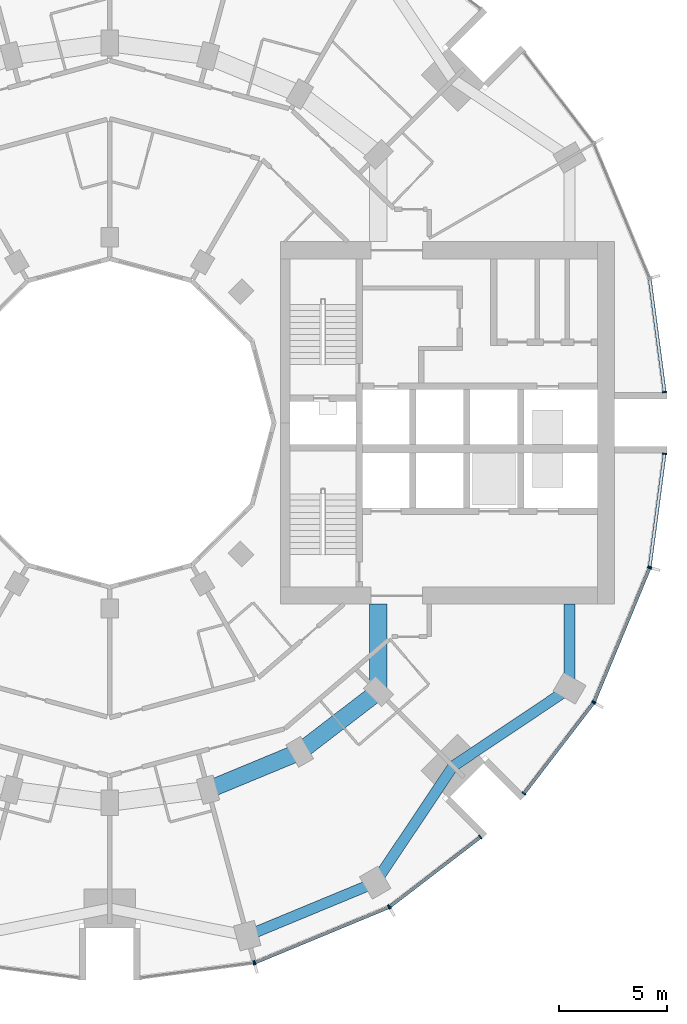
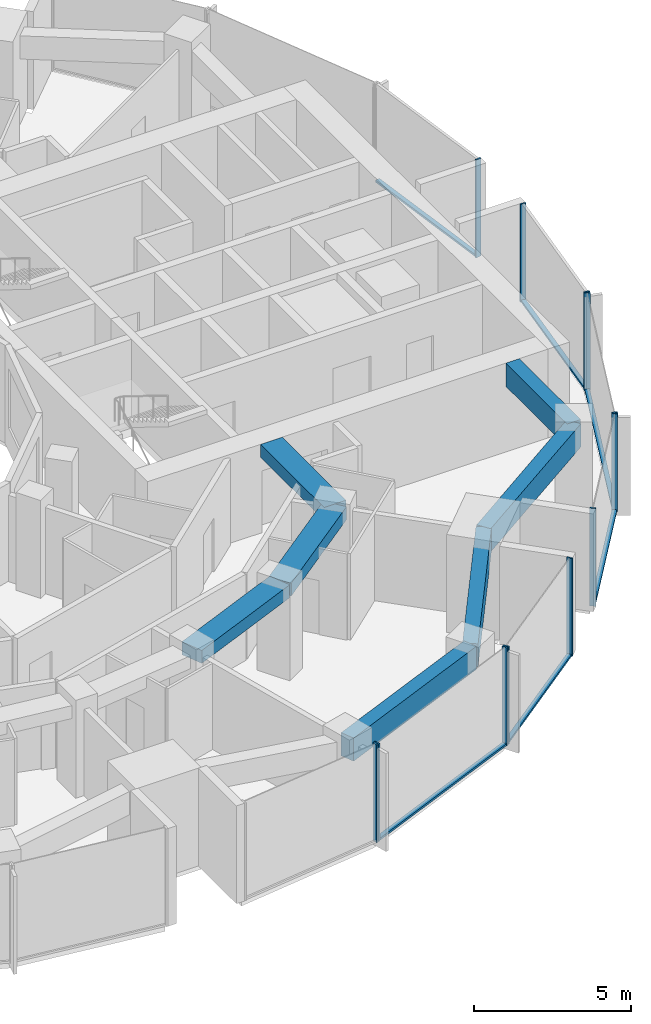
# One storey, part 4 of 15: 18 members, 7 beams, 7 elements without a shape of their own.
"""IFC4 building model written with IfcOpenShell, lengths in metres."""

from ifc_helpers import new_model, si_unit, direction, frame, origin, origin_2d, place, context, subcontext, project, spatial, rectangle, extrude, material, layer, layer_set, material_profile, profile_set, type_object, element, aggregate, save


model = new_model("IFC4")

# Units and contexts
model_context = context("Model", 3, precision=1e-05, world=origin(), true_north=direction((0.0, 1.0)))
body_context = subcontext(model_context, "Body", "Model", "MODEL_VIEW")
ifc_project = project(units=[si_unit("LENGTHUNIT", "METRE"), si_unit("AREAUNIT", "SQUARE_METRE"), si_unit("VOLUMEUNIT", "CUBIC_METRE"), si_unit("PLANEANGLEUNIT", "RADIAN"), si_unit("MASSUNIT", "GRAM", prefix="KILO")], contexts=[model_context])

# Site, building, storey
site_placement = place(None, origin())
site = spatial("IfcSite", under=ifc_project, at=site_placement, CompositionType="ELEMENT")
building_placement = place(site_placement, origin())
building = spatial("IfcBuilding", under=site, at=building_placement, Name="Torre Brocal", CompositionType="ELEMENT")
storey_placement = place(building_placement, frame((0.0, 0.0, 105.199951171875)))
storey = spatial("IfcBuildingStorey", under=building, at=storey_placement, Name="L24", CompositionType="ELEMENT", Elevation=105.199951171875)

# Curtain wall, member
ifc_material_1 = material(Name="Aluminium and glass", Category="aluminium")
ifc_layer_1 = layer(ifc_material_1, 0.199951171875)
ifc_layer_set_1 = layer_set([ifc_layer_1], Name="Aluminium and glass")
curtain_wall_type_1 = type_object("IfcCurtainWallType", Name="CW-1 CURTAIN WALL 3800 HIGH", PredefinedType="NOTDEFINED", material=ifc_layer_set_1)
curtain_wall_1_placement = place(storey_placement, origin())
curtain_wall_1 = element("IfcCurtainWall", 1, at=curtain_wall_1_placement, inside=storey, type_object=curtain_wall_type_1, Name="CW-1 RUN 19", PredefinedType="NOTDEFINED")
ifc_material_2 = material(Name="Aluminium, dark anodised", Category="aluminium")
ifc_material_profile_1 = material_profile(ifc_material_2, rectangle(XDim=0.199951171875, YDim=0.06005859375, at=origin_2d()), Name="CW-1 MULLION 60X200")
ifc_profile_set_1 = profile_set([ifc_material_profile_1], Name="Aluminium, dark anodised")
member_type_1 = type_object("IfcMemberType", Name="CW-1 MULLION 60X200", PredefinedType="MULLION", material=ifc_profile_set_1)
member_1_placement = place(storey_placement, frame((86.67333984375, 49.9794921875, 0.0), z_axis=(0.0, 0.0, 1.0), x_axis=(-0.13052619222, 0.991444861374, 0.0)))
member_1 = element("IfcMember", 2, at=member_1_placement, type_object=member_type_1, Name="CW1-1 mullion 2", PredefinedType="MULLION", context=body_context, shape_type="SweptSolid", body=[
    extrude(rectangle(XDim=0.199951171875, YDim=0.06005859375, at=origin_2d()), origin(), (0.0, 0.0, 1.0), 3.800048828125),
])
aggregate(curtain_wall_1, [member_1])

# Curtain wall, members
curtain_wall_2_placement = place(storey_placement, origin())
curtain_wall_2 = element("IfcCurtainWall", 3, at=curtain_wall_2_placement, inside=storey, type_object=curtain_wall_type_1, Name="CW-1 RUN 20", PredefinedType="NOTDEFINED")
member_2_placement = place(storey_placement, frame((86.73095703125, 49.994873046875, 0.0), z_axis=(0.0, 0.0, 1.0), x_axis=(-0.382683432333, 0.923879532525, 0.0)))
member_2 = element("IfcMember", 4, at=member_2_placement, type_object=member_type_1, Name="CW1-1 mullion 1", PredefinedType="MULLION", context=body_context, shape_type="SweptSolid", body=[
    extrude(rectangle(XDim=0.199951171875, YDim=0.06005859375, at=origin_2d()), origin(), (0.0, 0.0, 1.0), 3.800048828125),
])
member_3_placement = place(storey_placement, frame((92.921875, 52.559326171875, 0.0), z_axis=(0.0, 0.0, 1.0), x_axis=(-0.382683432333, 0.923879532525, 0.0)))
member_3 = element("IfcMember", 5, at=member_3_placement, type_object=member_type_1, Name="CW1-1 mullion 2", PredefinedType="MULLION", context=body_context, shape_type="SweptSolid", body=[
    extrude(rectangle(XDim=0.199951171875, YDim=0.06005859375, at=origin_2d()), origin(), (0.0, 0.0, 1.0), 3.800048828125),
])

curtain_wall_3_placement = place(storey_placement, origin())
curtain_wall_3 = element("IfcCurtainWall", 6, at=curtain_wall_3_placement, inside=storey, type_object=curtain_wall_type_1, Name="CW-1 RUN 21", PredefinedType="NOTDEFINED")
member_4_placement = place(storey_placement, frame((92.973388671875, 52.5888671875, 0.0), z_axis=(0.0, 0.0, 1.0), x_axis=(-0.60876142905, 0.793353340259, 0.0)))
member_4 = element("IfcMember", 7, at=member_4_placement, type_object=member_type_1, Name="CW1-1 mullion 1", PredefinedType="MULLION", context=body_context, shape_type="SweptSolid", body=[
    extrude(rectangle(XDim=0.199951171875, YDim=0.06005859375, at=origin_2d()), origin(), (0.0, 0.0, 1.0), 3.800048828125),
])
member_5_placement = place(storey_placement, frame((97.16943359375, 55.80859375, 0.0), z_axis=(0.0, 0.0, 1.0), x_axis=(-0.60876142905, 0.793353340259, 0.0)))
member_5 = element("IfcMember", 8, at=member_5_placement, type_object=member_type_1, Name="CW1-1 mullion 2", PredefinedType="MULLION", context=body_context, shape_type="SweptSolid", body=[
    extrude(rectangle(XDim=0.199951171875, YDim=0.06005859375, at=origin_2d()), origin(), (0.0, 0.0, 1.0), 3.800048828125),
])

curtain_wall_4_placement = place(storey_placement, origin())
curtain_wall_4 = element("IfcCurtainWall", 9, at=curtain_wall_4_placement, inside=storey, type_object=curtain_wall_type_1, Name="CW-1 RUN 22", PredefinedType="NOTDEFINED")
member_6_placement = place(storey_placement, frame((99.19140625, 57.83056640625, 0.0), z_axis=(0.0, 0.0, 1.0), x_axis=(-0.793353340259, 0.60876142905, 0.0)))
member_6 = element("IfcMember", 10, at=member_6_placement, type_object=member_type_1, Name="CW1-1 mullion 1", PredefinedType="MULLION", context=body_context, shape_type="SweptSolid", body=[
    extrude(rectangle(XDim=0.199951171875, YDim=0.06005859375, at=origin_2d()), origin(), (0.0, 0.0, 1.0), 3.800048828125),
])
member_7_placement = place(storey_placement, frame((102.4111328125, 62.026611328125, 0.0), z_axis=(0.0, 0.0, 1.0), x_axis=(-0.793353340259, 0.60876142905, 0.0)))
member_7 = element("IfcMember", 11, at=member_7_placement, type_object=member_type_1, Name="CW1-1 mullion 2", PredefinedType="MULLION", context=body_context, shape_type="SweptSolid", body=[
    extrude(rectangle(XDim=0.199951171875, YDim=0.06005859375, at=origin_2d()), origin(), (0.0, 0.0, 1.0), 3.800048828125),
])

curtain_wall_5_placement = place(storey_placement, origin())
curtain_wall_5 = element("IfcCurtainWall", 12, at=curtain_wall_5_placement, inside=storey, type_object=curtain_wall_type_1, Name="CW-1 RUN 23", PredefinedType="NOTDEFINED")
member_8_placement = place(storey_placement, frame((102.440673828125, 62.078125, 0.0), z_axis=(0.0, 0.0, 1.0), x_axis=(-0.923879532525, 0.382683432333, 0.0)))
member_8 = element("IfcMember", 13, at=member_8_placement, type_object=member_type_1, Name="CW1-1 mullion 1", PredefinedType="MULLION", context=body_context, shape_type="SweptSolid", body=[
    extrude(rectangle(XDim=0.199951171875, YDim=0.06005859375, at=origin_2d()), origin(), (0.0, 0.0, 1.0), 3.800048828125),
])
member_9_placement = place(storey_placement, frame((105.005126953125, 68.26904296875, 0.0), z_axis=(0.0, 0.0, 1.0), x_axis=(-0.923879532525, 0.382683432333, 0.0)))
member_9 = element("IfcMember", 14, at=member_9_placement, type_object=member_type_1, Name="CW1-1 mullion 2", PredefinedType="MULLION", context=body_context, shape_type="SweptSolid", body=[
    extrude(rectangle(XDim=0.199951171875, YDim=0.06005859375, at=origin_2d()), origin(), (0.0, 0.0, 1.0), 3.800048828125),
])

# Member
ifc_material_3 = material(Name="Aluminium, dark anodised", Category="aluminium")
ifc_material_profile_2 = material_profile(ifc_material_3, rectangle(XDim=0.159912109375, YDim=0.080078125, at=origin_2d()), Name="CW-1 TRANSOM 160X80")
ifc_profile_set_2 = profile_set([ifc_material_profile_2], Name="Aluminium, dark anodised")
member_type_2 = type_object("IfcMemberType", Name="CW-1 TRANSOM 160X80", PredefinedType="USERDEFINED", material=ifc_profile_set_2)
member_10_placement = place(storey_placement, frame((86.758544921875, 50.00634765625, 0.0400390625), z_axis=(0.923887344364, 0.38266457234, 0.0), x_axis=(-0.38266457234, 0.923887344364, 0.0)))
member_10 = element("IfcMember", 15, at=member_10_placement, type_object=member_type_2, Name="CW1-1 transom 1.1", ObjectType="TRANSOM", PredefinedType="USERDEFINED", context=body_context, shape_type="SweptSolid", body=[
    extrude(rectangle(XDim=0.159912109375, YDim=0.080078125, at=origin_2d()), origin(), (0.0, 0.0, 1.0), 6.640869140625),
])

aggregate(curtain_wall_2, [member_2, member_3, member_10])

member_11_placement = place(storey_placement, frame((92.9970703125, 52.607177734375, 0.0400390625), z_axis=(0.79336281513, 0.60874908096, 0.0), x_axis=(-0.60874908096, 0.79336281513, 0.0)))
member_11 = element("IfcMember", 16, at=member_11_placement, type_object=member_type_2, Name="CW1-1 transom 1.1", ObjectType="TRANSOM", PredefinedType="USERDEFINED", context=body_context, shape_type="SweptSolid", body=[
    extrude(rectangle(XDim=0.159912109375, YDim=0.080078125, at=origin_2d()), origin(), (0.0, 0.0, 1.0), 5.22900390625),
])

aggregate(curtain_wall_3, [member_4, member_5, member_11])

member_12_placement = place(storey_placement, frame((99.209716796875, 57.8544921875, 0.0400390625), z_axis=(0.60874908096, 0.79336281513, 0.0), x_axis=(-0.79336281513, 0.60874908096, 0.0)))
member_12 = element("IfcMember", 17, at=member_12_placement, type_object=member_type_2, Name="CW1-1 transom 1.1", ObjectType="TRANSOM", PredefinedType="USERDEFINED", context=body_context, shape_type="SweptSolid", body=[
    extrude(rectangle(XDim=0.159912109375, YDim=0.080078125, at=origin_2d()), origin(), (0.0, 0.0, 1.0), 5.22900390625),
])

aggregate(curtain_wall_4, [member_6, member_7, member_12])

member_13_placement = place(storey_placement, frame((102.452392578125, 62.10595703125, 0.0400390625), z_axis=(0.38266457234, 0.923887344364, 0.0), x_axis=(-0.923887344364, 0.38266457234, 0.0)))
member_13 = element("IfcMember", 18, at=member_13_placement, type_object=member_type_2, Name="CW1-1 transom 1.1", ObjectType="TRANSOM", PredefinedType="USERDEFINED", context=body_context, shape_type="SweptSolid", body=[
    extrude(rectangle(XDim=0.159912109375, YDim=0.080078125, at=origin_2d()), origin(), (0.0, 0.0, 1.0), 6.640869140625),
])

aggregate(curtain_wall_5, [member_8, member_9, member_13])

# Curtain wall, member
ifc_material_4 = material(Name="Aluminium and glass", Category="aluminium")
ifc_layer_2 = layer(ifc_material_4, 0.199951171875)
ifc_layer_set_2 = layer_set([ifc_layer_2], Name="Aluminium and glass")
curtain_wall_type_2 = type_object("IfcCurtainWallType", Name="CW-1B CURTAIN WALL 3800 HIGH", PredefinedType="NOTDEFINED", material=ifc_layer_set_2)
curtain_wall_6_placement = place(storey_placement, origin())
curtain_wall_6 = element("IfcCurtainWall", 19, at=curtain_wall_6_placement, inside=storey, type_object=curtain_wall_type_2, Name="CW-1B RUN 1", PredefinedType="NOTDEFINED")
ifc_material_5 = material(Name="Aluminium, dark anodised", Category="aluminium")
ifc_material_profile_3 = material_profile(ifc_material_5, rectangle(XDim=0.199951171875, YDim=0.06005859375, at=origin_2d()), Name="CW-1B MULLION 60X200")
ifc_profile_set_3 = profile_set([ifc_material_profile_3], Name="Aluminium, dark anodised")
member_type_3 = type_object("IfcMemberType", Name="CW-1B MULLION 60X200", PredefinedType="MULLION", material=ifc_profile_set_3)
member_14_placement = place(storey_placement, frame((105.7109375, 76.4296875, 0.0), z_axis=(0.0, 0.0, 1.0), x_axis=(-0.991444861374, -0.13052619222, 0.0)))
member_14 = element("IfcMember", 20, at=member_14_placement, type_object=member_type_3, Name="CW1B-1 mullion 1", PredefinedType="MULLION", context=body_context, shape_type="SweptSolid", body=[
    extrude(rectangle(XDim=0.199951171875, YDim=0.06005859375, at=origin_2d()), origin(), (0.0, 0.0, 1.0), 3.800048828125),
])

# Curtain wall, members
curtain_wall_7_placement = place(storey_placement, origin())
curtain_wall_7 = element("IfcCurtainWall", 21, at=curtain_wall_7_placement, inside=storey, type_object=curtain_wall_type_2, Name="CW-1B RUN 24", PredefinedType="NOTDEFINED")
member_15_placement = place(storey_placement, frame((105.0205078125, 68.32666015625, 0.0), z_axis=(0.0, 0.0, 1.0), x_axis=(-0.991444861374, 0.13052619222, 0.0)))
member_15 = element("IfcMember", 22, at=member_15_placement, type_object=member_type_3, Name="CW1B-1 mullion 1", PredefinedType="MULLION", context=body_context, shape_type="SweptSolid", body=[
    extrude(rectangle(XDim=0.199951171875, YDim=0.06005859375, at=origin_2d()), origin(), (0.0, 0.0, 1.0), 3.800048828125),
])
member_16_placement = place(storey_placement, frame((105.7109375, 73.5703125, 0.0), z_axis=(0.0, 0.0, 1.0), x_axis=(-0.991444861374, 0.13052619222, 0.0)))
member_16 = element("IfcMember", 23, at=member_16_placement, type_object=member_type_3, Name="CW1B-1 mullion 2", PredefinedType="MULLION", context=body_context, shape_type="SweptSolid", body=[
    extrude(rectangle(XDim=0.199951171875, YDim=0.06005859375, at=origin_2d()), origin(), (0.0, 0.0, 1.0), 3.800048828125),
])

# Member
ifc_material_6 = material(Name="Aluminium, dark anodised", Category="aluminium")
ifc_material_profile_4 = material_profile(ifc_material_6, rectangle(XDim=0.159912109375, YDim=0.080078125, at=origin_2d()), Name="CW-1B TRANSOM 160X80")
ifc_profile_set_4 = profile_set([ifc_material_profile_4], Name="Aluminium, dark anodised")
member_type_4 = type_object("IfcMemberType", Name="CW-1B TRANSOM 160X80", PredefinedType="USERDEFINED", material=ifc_profile_set_4)
member_17_placement = place(storey_placement, frame((105.70703125, 76.45947265625, 0.0400390625), z_axis=(-0.130542677827, 0.991442690863, 0.0), x_axis=(-0.991442690863, -0.130542677827, 0.0)))
member_17 = element("IfcMember", 24, at=member_17_placement, type_object=member_type_4, Name="CW1B-1 transom 1.1", ObjectType="TRANSOM", PredefinedType="USERDEFINED", context=body_context, shape_type="SweptSolid", body=[
    extrude(rectangle(XDim=0.159912109375, YDim=0.080078125, at=origin_2d()), origin(), (0.0, 0.0, 1.0), 5.22900390625),
])

aggregate(curtain_wall_6, [member_14, member_17])

member_18_placement = place(storey_placement, frame((105.0244140625, 68.356201171875, 0.0400390625), z_axis=(0.130542677827, 0.991442690863, 0.0), x_axis=(-0.991442690863, 0.130542677827, 0.0)))
member_18 = element("IfcMember", 25, at=member_18_placement, type_object=member_type_4, Name="CW1B-1 transom 1.1", ObjectType="TRANSOM", PredefinedType="USERDEFINED", context=body_context, shape_type="SweptSolid", body=[
    extrude(rectangle(XDim=0.159912109375, YDim=0.080078125, at=origin_2d()), origin(), (0.0, 0.0, 1.0), 5.22900390625),
])

aggregate(curtain_wall_7, [member_15, member_16, member_18])

# Beams
ifc_material_7 = material(Name="Concrete C50", Category="concrete")
ifc_material_profile_5 = material_profile(ifc_material_7, rectangle(XDim=0.800048828125, YDim=0.5, at=origin_2d()), Name="RC 800X500")
ifc_profile_set_5 = profile_set([ifc_material_profile_5], Name="Concrete C50")
beam_type_1 = type_object("IfcBeamType", Name="RC BEAM 800X500 C50 TOP 3450", PredefinedType="BEAM", material=ifc_profile_set_5)
beam_1_placement = place(storey_placement, frame((84.55517578125, 57.999755859375, 3.199951171875), z_axis=(0.923878240166, 0.382686552348, 0.0), x_axis=(-0.382686552348, 0.923878240166, 0.0)))
element("IfcBeam", 26, at=beam_1_placement, inside=storey, type_object=beam_type_1, Name="Beam BT-25", PredefinedType="BEAM", context=body_context, shape_type="SweptSolid", body=[
    extrude(rectangle(XDim=0.800048828125, YDim=0.5, at=origin_2d()), origin(), (0.0, 0.0, 1.0), 4.5947265625),
])
beam_2_placement = place(storey_placement, frame((88.800048828125, 59.758056640625, 3.199951171875), z_axis=(0.793358265959, 0.6087550097, 0.0), x_axis=(-0.6087550097, 0.793358265959, 0.0)))
element("IfcBeam", 27, at=beam_2_placement, inside=storey, type_object=beam_type_1, Name="Beam BT-25", PredefinedType="BEAM", context=body_context, shape_type="SweptSolid", body=[
    extrude(rectangle(XDim=0.800048828125, YDim=0.5, at=origin_2d()), origin(), (0.0, 0.0, 1.0), 4.594482421875),
])
beam_3_placement = place(storey_placement, frame((92.445068359375, 62.554931640625, 3.199951171875), z_axis=(0.0, 1.0, 0.0), x_axis=(-1.0, 0.0, 0.0)))
element("IfcBeam", 28, at=beam_3_placement, inside=storey, type_object=beam_type_1, Name="Beam BT-25", PredefinedType="BEAM", context=body_context, shape_type="SweptSolid", body=[
    extrude(rectangle(XDim=0.800048828125, YDim=0.5, at=origin_2d()), origin(), (0.0, 0.0, 1.0), 4.045166015625),
])
ifc_material_8 = material(Name="Concrete C50", Category="concrete")
ifc_material_profile_6 = material_profile(ifc_material_8, rectangle(XDim=0.5, YDim=0.89990234375, at=origin_2d()), Name="RC 500X900")
ifc_profile_set_6 = profile_set([ifc_material_profile_6], Name="Concrete C50")
beam_type_2 = type_object("IfcBeamType", Name="RC SPANDREL BEAM 500X900 C50 TOP 3450", PredefinedType="SPANDREL", material=ifc_profile_set_6)
beam_4_placement = place(storey_placement, frame((86.366943359375, 51.23828125, 3.0), z_axis=(0.923882462513, 0.382676358639, 0.0), x_axis=(-0.382676358639, 0.923882462513, 0.0)))
element("IfcBeam", 29, at=beam_4_placement, inside=storey, type_object=beam_type_2, Name="Beam BT-26", PredefinedType="SPANDREL", context=body_context, shape_type="SweptSolid", body=[
    extrude(rectangle(XDim=0.5, YDim=0.89990234375, at=origin_2d()), origin(), (0.0, 0.0, 1.0), 6.421875),
])
for number, where, z_axis, x_axis, name in (
    (30, (92.300048828125, 53.69580078125, 3.0), (0.556157602282, 0.831076844476, 0.0), (-0.831076844476, 0.556157602282, 0.0), "Beam BT-26"),
    (31, (95.909912109375, 59.090087890625, 3.0), (0.831076844476, 0.556157602282, 0.0), (-0.556157602282, 0.831076844476, 0.0), "Beam BT-26"),
):
    element("IfcBeam", number, at=place(storey_placement, frame(where, z_axis=z_axis, x_axis=x_axis)), inside=storey, type_object=beam_type_2, Name=name, PredefinedType="SPANDREL", context=body_context, shape_type="SweptSolid", body=[
        extrude(rectangle(XDim=0.5, YDim=0.89990234375, at=origin_2d()), origin(), (0.0, 0.0, 1.0), 6.49072265625),
    ])
beam_5_placement = place(storey_placement, frame((101.30419921875, 62.699951171875, 3.0), z_axis=(0.0, 1.0, 0.0), x_axis=(-1.0, 0.0, 0.0)))
element("IfcBeam", 32, at=beam_5_placement, inside=storey, type_object=beam_type_2, Name="Beam BT-26", PredefinedType="SPANDREL", context=body_context, shape_type="SweptSolid", body=[
    extrude(rectangle(XDim=0.5, YDim=0.89990234375, at=origin_2d()), origin(), (0.0, 0.0, 1.0), 3.900146484375),
])

save(model, "model.ifc")
